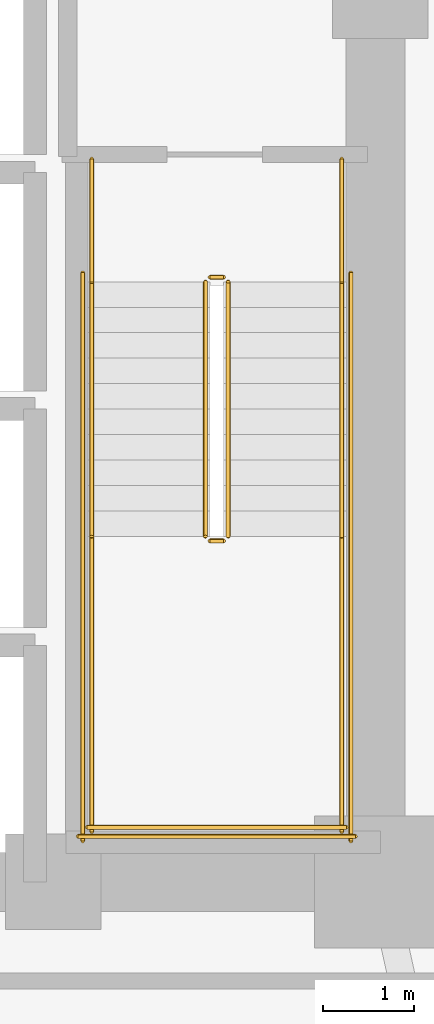
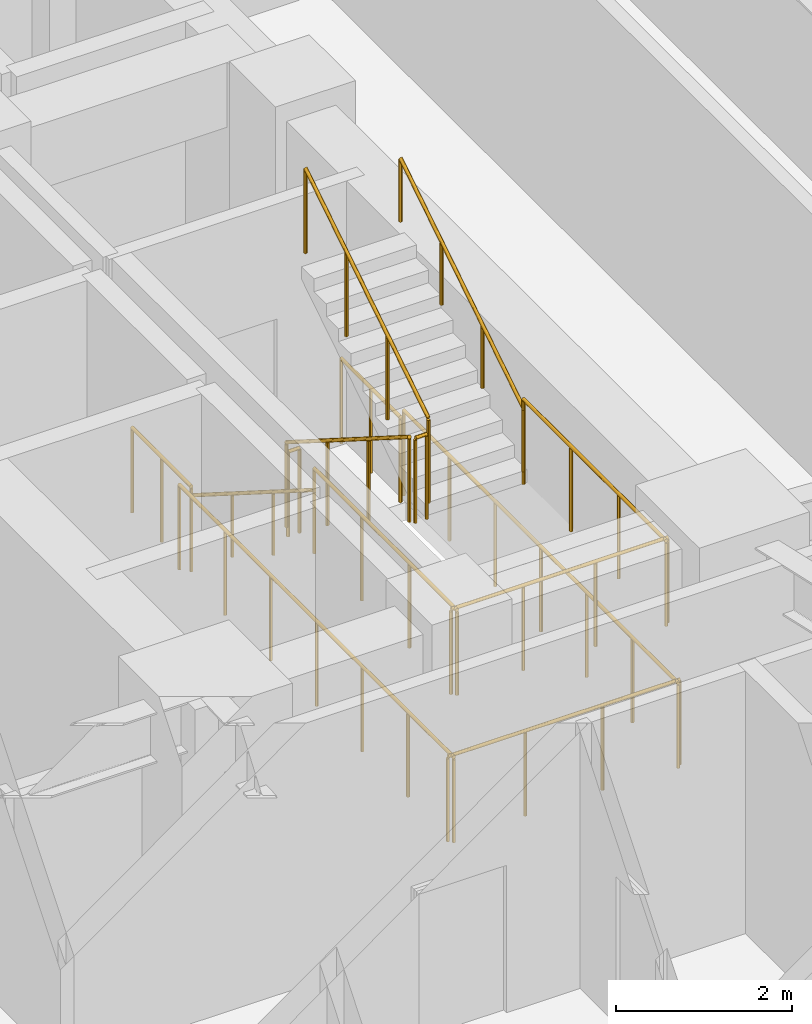
# One storey, part 11 of 11: 14 railings.
"""IFC4 building model written with IfcOpenShell, lengths in metres."""

from ifc_helpers import new_model, si_unit, direction, frame, origin, origin_2d, place, context, subcontext, project, spatial, circle, extrude, material, type_object, element, save


model = new_model("IFC4")

# Units and contexts
model_context = context("Model", 3, precision=1e-05, world=origin(), true_north=direction((0.0, 1.0)))
body_context = subcontext(model_context, "Body", "Model", "MODEL_VIEW")
ifc_project = project(units=[si_unit("LENGTHUNIT", "METRE"), si_unit("AREAUNIT", "SQUARE_METRE"), si_unit("VOLUMEUNIT", "CUBIC_METRE"), si_unit("PLANEANGLEUNIT", "RADIAN"), si_unit("MASSUNIT", "GRAM", prefix="KILO")], contexts=[model_context])

# Site, building, storey
site_placement = place(None, origin())
site = spatial("IfcSite", under=ifc_project, at=site_placement, CompositionType="ELEMENT")
building_placement = place(site_placement, origin())
building = spatial("IfcBuilding", under=site, at=building_placement, Name="Voryun Gate Residences", CompositionType="ELEMENT")
storey_placement = place(building_placement, frame((0.0, 0.0, 33.800048828125)))
storey = spatial("IfcBuildingStorey", under=building, at=storey_placement, Name="L07", CompositionType="ELEMENT", Elevation=33.800048828125)

# Railings
ifc_material_1 = material(Name="Painted steel", Category="steel")
railing_type_1 = type_object("IfcRailingType", Name="RAIL_STAIR_GUARD_1200", PredefinedType="GUARDRAIL", material=ifc_material_1)
railing_1_placement = place(storey_placement, frame((17.27490234375, -0.800048828125, 0.17724609375)))
element("IfcRailing", 1, at=railing_1_placement, inside=storey, type_object=railing_type_1, Name="L07 ST-E1 stair guard 1", PredefinedType="GUARDRAIL", context=body_context, shape_type="SweptSolid", body=[
    extrude(circle(Radius=0.02392578125, at=origin_2d()), frame((0.0, 0.0, 1.17578125), z_axis=(0.0, -0.844908973607, 0.534910110503), x_axis=(1.0, 0.0, 0.0)), (0.0, 0.0, 1.0), 3.31396484375),
    extrude(circle(Radius=0.02099609375, at=origin_2d()), origin(), (0.0, 0.0, 1.0), 1.15185546875),
    extrude(circle(Radius=0.02099609375, at=origin_2d()), frame((0.0, -0.933349609375, 0.5908203125)), (0.0, 0.0, 1.0), 1.15185546875),
    extrude(circle(Radius=0.02099609375, at=origin_2d()), frame((0.0, -1.86669921875, 1.181884765625)), (0.0, 0.0, 1.0), 1.15185546875),
    extrude(circle(Radius=0.02099609375, at=origin_2d()), frame((0.0, -2.800048828125, 1.772705078125)), (0.0, 0.0, 1.0), 1.15185546875),
])
railing_2_placement = place(storey_placement, frame((17.324951171875, -3.64990234375, 1.949951171875)))
element("IfcRailing", 2, at=railing_2_placement, inside=storey, type_object=railing_type_1, Name="L07 ST-E1 stair guard 2", PredefinedType="GUARDRAIL", context=body_context, shape_type="SweptSolid", body=[
    extrude(circle(Radius=0.02392578125, at=origin_2d()), frame((0.0, 0.0, 1.17578125), z_axis=(1.0, 0.0, 0.0), x_axis=(0.0, 1.0, 0.0)), (0.0, 0.0, 1.0), 0.150146484375),
    extrude(circle(Radius=0.02099609375, at=origin_2d()), origin(), (0.0, 0.0, 1.0), 1.15185546875),
    extrude(circle(Radius=0.02099609375, at=origin_2d()), frame((0.150146484375, 0.0, 0.0)), (0.0, 0.0, 1.0), 1.15185546875),
])
for number, where, name in (
    (3, (16.02490234375, -3.60009765625, 1.949951171875), "L07 ST-E1 stair guard 3"),
    (4, (18.77490234375, -3.60009765625, 1.949951171875), "L07 ST-E1 stair guard 4"),
):
    element("IfcRailing", number, at=place(storey_placement, frame(where)), inside=storey, type_object=railing_type_1, Name=name, PredefinedType="GUARDRAIL", context=body_context, shape_type="SweptSolid", body=[
        extrude(circle(Radius=0.02392578125, at=origin_2d()), frame((0.0, 0.0, 1.17578125), z_axis=(0.0, -1.0, 0.0), x_axis=(1.0, 0.0, 0.0)), (0.0, 0.0, 1.0), 3.25),
        extrude(circle(Radius=0.02099609375, at=origin_2d()), origin(), (0.0, 0.0, 1.0), 1.15185546875),
        extrude(circle(Radius=0.02099609375, at=origin_2d()), frame((0.0, -1.083251953125, 0.0)), (0.0, 0.0, 1.0), 1.15185546875),
        extrude(circle(Radius=0.02099609375, at=origin_2d()), frame((0.0, -2.166748046875, 0.0)), (0.0, 0.0, 1.0), 1.15185546875),
        extrude(circle(Radius=0.02099609375, at=origin_2d()), frame((0.0, -3.25, 0.0)), (0.0, 0.0, 1.0), 1.15185546875),
    ])
railing_3_placement = place(storey_placement, frame((15.97509765625, -6.800048828125, 1.949951171875)))
element("IfcRailing", 5, at=railing_3_placement, inside=storey, type_object=railing_type_1, Name="L07 ST-E1 stair guard 5", PredefinedType="GUARDRAIL", context=body_context, shape_type="SweptSolid", body=[
    extrude(circle(Radius=0.02392578125, at=origin_2d()), frame((0.0, 0.0, 1.17578125), z_axis=(1.0, 0.0, 0.0), x_axis=(0.0, 1.0, 0.0)), (0.0, 0.0, 1.0), 2.849853515625),
    extrude(circle(Radius=0.02099609375, at=origin_2d()), origin(), (0.0, 0.0, 1.0), 1.15185546875),
    extrude(circle(Radius=0.02099609375, at=origin_2d()), frame((0.949951171875, 0.0, 0.0)), (0.0, 0.0, 1.0), 1.15185546875),
    extrude(circle(Radius=0.02099609375, at=origin_2d()), frame((1.89990234375, 0.0, 0.0)), (0.0, 0.0, 1.0), 1.15185546875),
    extrude(circle(Radius=0.02099609375, at=origin_2d()), frame((2.849853515625, 0.0, 0.0)), (0.0, 0.0, 1.0), 1.15185546875),
])
railing_4_placement = place(storey_placement, frame((17.52490234375, -3.60009765625, 2.127197265625)))
element("IfcRailing", 6, at=railing_4_placement, inside=storey, type_object=railing_type_1, Name="L07 ST-E1 stair guard 6", PredefinedType="GUARDRAIL", context=body_context, shape_type="SweptSolid", body=[
    extrude(circle(Radius=0.02392578125, at=origin_2d()), frame((0.0, 0.0, 1.17578125), z_axis=(0.0, 0.844908973607, 0.534910110503), x_axis=(-1.0, 0.0, 0.0)), (0.0, 0.0, 1.0), 3.31396484375),
    extrude(circle(Radius=0.02099609375, at=origin_2d()), origin(), (0.0, 0.0, 1.0), 1.15185546875),
    extrude(circle(Radius=0.02099609375, at=origin_2d()), frame((0.0, 0.933349609375, 0.5908203125)), (0.0, 0.0, 1.0), 1.15185546875),
    extrude(circle(Radius=0.02099609375, at=origin_2d()), frame((0.0, 1.86669921875, 1.181884765625)), (0.0, 0.0, 1.0), 1.15185546875),
    extrude(circle(Radius=0.02099609375, at=origin_2d()), frame((0.0, 2.800048828125, 1.772705078125)), (0.0, 0.0, 1.0), 1.15185546875),
])
railing_5_placement = place(storey_placement, frame((17.324951171875, -0.75, 0.0)))
element("IfcRailing", 7, at=railing_5_placement, inside=storey, type_object=railing_type_1, Name="L07 ST-E1 stair guard 7", PredefinedType="GUARDRAIL", context=body_context, shape_type="SweptSolid", body=[
    extrude(circle(Radius=0.02392578125, at=origin_2d()), frame((0.0, 0.0, 1.17578125), z_axis=(1.0, 0.0, 0.0), x_axis=(0.0, 1.0, 0.0)), (0.0, 0.0, 1.0), 0.150146484375),
    extrude(circle(Radius=0.02099609375, at=origin_2d()), origin(), (0.0, 0.0, 1.0), 1.15185546875),
    extrude(circle(Radius=0.02099609375, at=origin_2d()), frame((0.150146484375, 0.0, 0.0)), (0.0, 0.0, 1.0), 1.15185546875),
])
for number, where, name in (
    (8, (16.02490234375, 0.550048828125, 0.0), "L07 ST-E1 stair guard 8"),
    (9, (18.77490234375, 0.550048828125, 0.0), "L07 ST-E1 stair guard 9"),
):
    element("IfcRailing", number, at=place(storey_placement, frame(where)), inside=storey, type_object=railing_type_1, Name=name, PredefinedType="GUARDRAIL", context=body_context, shape_type="SweptSolid", body=[
        extrude(circle(Radius=0.02392578125, at=origin_2d()), frame((0.0, 0.0, 1.17578125), z_axis=(0.0, -1.0, 0.0), x_axis=(1.0, 0.0, 0.0)), (0.0, 0.0, 1.0), 1.35009765625),
        extrude(circle(Radius=0.02099609375, at=origin_2d()), origin(), (0.0, 0.0, 1.0), 1.15185546875),
        extrude(circle(Radius=0.02099609375, at=origin_2d()), frame((0.0, -0.675048828125, 0.0)), (0.0, 0.0, 1.0), 1.15185546875),
        extrude(circle(Radius=0.02099609375, at=origin_2d()), frame((0.0, -1.35009765625, 0.0)), (0.0, 0.0, 1.0), 1.15185546875),
    ])
for number, where, name in (
    (10, (15.925048828125, -0.699951171875, 0.0), "L07 ST-E1 stair guard 10"),
    (11, (18.875, -0.699951171875, 0.0), "L07 ST-E1 stair guard 11"),
):
    element("IfcRailing", number, at=place(storey_placement, frame(where)), inside=storey, type_object=railing_type_1, Name=name, PredefinedType="GUARDRAIL", context=body_context, shape_type="SweptSolid", body=[
        extrude(circle(Radius=0.02392578125, at=origin_2d()), frame((0.0, 0.0, 1.17578125), z_axis=(0.0, -1.0, 0.0), x_axis=(1.0, 0.0, 0.0)), (0.0, 0.0, 1.0), 6.25),
        extrude(circle(Radius=0.02099609375, at=origin_2d()), origin(), (0.0, 0.0, 1.0), 1.15185546875),
        extrude(circle(Radius=0.02099609375, at=origin_2d()), frame((0.0, -1.041748046875, 0.0)), (0.0, 0.0, 1.0), 1.15185546875),
        extrude(circle(Radius=0.02099609375, at=origin_2d()), frame((0.0, -2.083251953125, 0.0)), (0.0, 0.0, 1.0), 1.15185546875),
        extrude(circle(Radius=0.02099609375, at=origin_2d()), frame((0.0, -3.125, 0.0)), (0.0, 0.0, 1.0), 1.15185546875),
        extrude(circle(Radius=0.02099609375, at=origin_2d()), frame((0.0, -4.166748046875, 0.0)), (0.0, 0.0, 1.0), 1.15185546875),
        extrude(circle(Radius=0.02099609375, at=origin_2d()), frame((0.0, -5.208251953125, 0.0)), (0.0, 0.0, 1.0), 1.15185546875),
        extrude(circle(Radius=0.02099609375, at=origin_2d()), frame((0.0, -6.25, 0.0)), (0.0, 0.0, 1.0), 1.15185546875),
    ])
railing_6_placement = place(storey_placement, frame((15.875, -6.89990234375, 0.0)))
element("IfcRailing", 12, at=railing_6_placement, inside=storey, type_object=railing_type_1, Name="L07 ST-E1 stair guard 12", PredefinedType="GUARDRAIL", context=body_context, shape_type="SweptSolid", body=[
    extrude(circle(Radius=0.02392578125, at=origin_2d()), frame((0.0, 0.0, 1.17578125), z_axis=(1.0, 0.0, 0.0), x_axis=(0.0, 1.0, 0.0)), (0.0, 0.0, 1.0), 3.050048828125),
    extrude(circle(Radius=0.02099609375, at=origin_2d()), origin(), (0.0, 0.0, 1.0), 1.15185546875),
    extrude(circle(Radius=0.02099609375, at=origin_2d()), frame((1.0166015625, 0.0, 0.0)), (0.0, 0.0, 1.0), 1.15185546875),
    extrude(circle(Radius=0.02099609375, at=origin_2d()), frame((2.033447265625, 0.0, 0.0)), (0.0, 0.0, 1.0), 1.15185546875),
    extrude(circle(Radius=0.02099609375, at=origin_2d()), frame((3.050048828125, 0.0, 0.0)), (0.0, 0.0, 1.0), 1.15185546875),
])
ifc_material_2 = material(Name="Painted steel", Category="steel")
railing_type_2 = type_object("IfcRailingType", Name="RAIL_STAIR_HANDRAIL_900", PredefinedType="HANDRAIL", material=ifc_material_2)
railing_7_placement = place(storey_placement, frame((16.02490234375, -0.800048828125, 0.17724609375)))
element("IfcRailing", 13, at=railing_7_placement, inside=storey, type_object=railing_type_2, Name="L07 ST-E1 stair handrail 1", PredefinedType="HANDRAIL", context=body_context, shape_type="SweptSolid", body=[
    extrude(circle(Radius=0.02392578125, at=origin_2d()), frame((0.0, 0.0, 0.8759765625), z_axis=(0.0, -0.844908973607, 0.534910110503), x_axis=(1.0, 0.0, 0.0)), (0.0, 0.0, 1.0), 3.31396484375),
    extrude(circle(Radius=0.02099609375, at=origin_2d()), origin(), (0.0, 0.0, 1.0), 0.851806640625),
    extrude(circle(Radius=0.02099609375, at=origin_2d()), frame((0.0, -0.933349609375, 0.5908203125)), (0.0, 0.0, 1.0), 0.851806640625),
    extrude(circle(Radius=0.02099609375, at=origin_2d()), frame((0.0, -1.86669921875, 1.181884765625)), (0.0, 0.0, 1.0), 0.851806640625),
    extrude(circle(Radius=0.02099609375, at=origin_2d()), frame((0.0, -2.800048828125, 1.772705078125)), (0.0, 0.0, 1.0), 0.851806640625),
])
railing_8_placement = place(storey_placement, frame((18.77490234375, -3.60009765625, 2.127197265625)))
element("IfcRailing", 14, at=railing_8_placement, inside=storey, type_object=railing_type_2, Name="L07 ST-E1 stair handrail 2", PredefinedType="HANDRAIL", context=body_context, shape_type="SweptSolid", body=[
    extrude(circle(Radius=0.02392578125, at=origin_2d()), frame((0.0, 0.0, 0.8759765625), z_axis=(0.0, 0.844908973607, 0.534910110503), x_axis=(-1.0, 0.0, 0.0)), (0.0, 0.0, 1.0), 3.31396484375),
    extrude(circle(Radius=0.02099609375, at=origin_2d()), origin(), (0.0, 0.0, 1.0), 0.851806640625),
    extrude(circle(Radius=0.02099609375, at=origin_2d()), frame((0.0, 0.933349609375, 0.5908203125)), (0.0, 0.0, 1.0), 0.851806640625),
    extrude(circle(Radius=0.02099609375, at=origin_2d()), frame((0.0, 1.86669921875, 1.181884765625)), (0.0, 0.0, 1.0), 0.851806640625),
    extrude(circle(Radius=0.02099609375, at=origin_2d()), frame((0.0, 2.800048828125, 1.772705078125)), (0.0, 0.0, 1.0), 0.851806640625),
])

save(model, "model.ifc")
